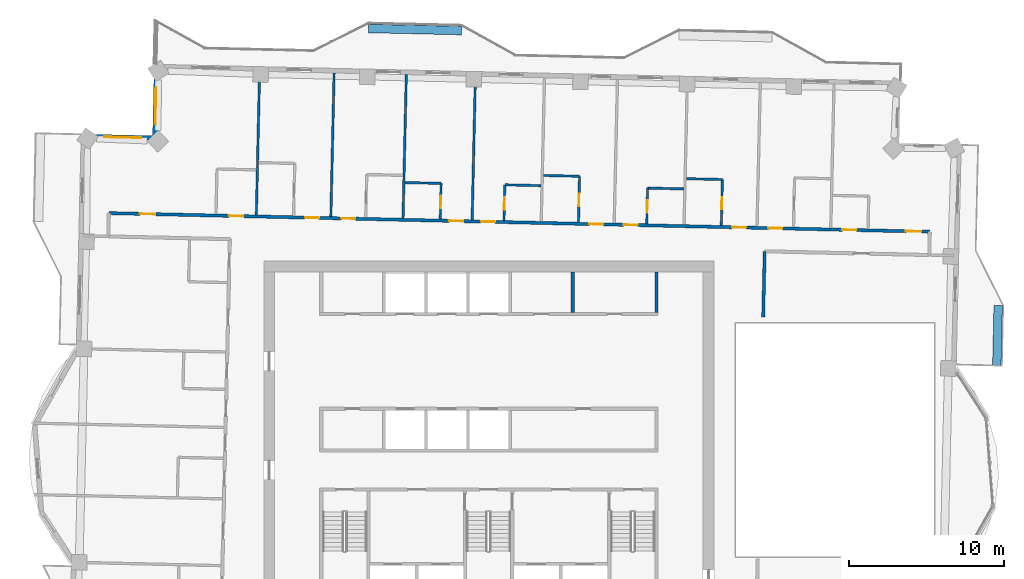
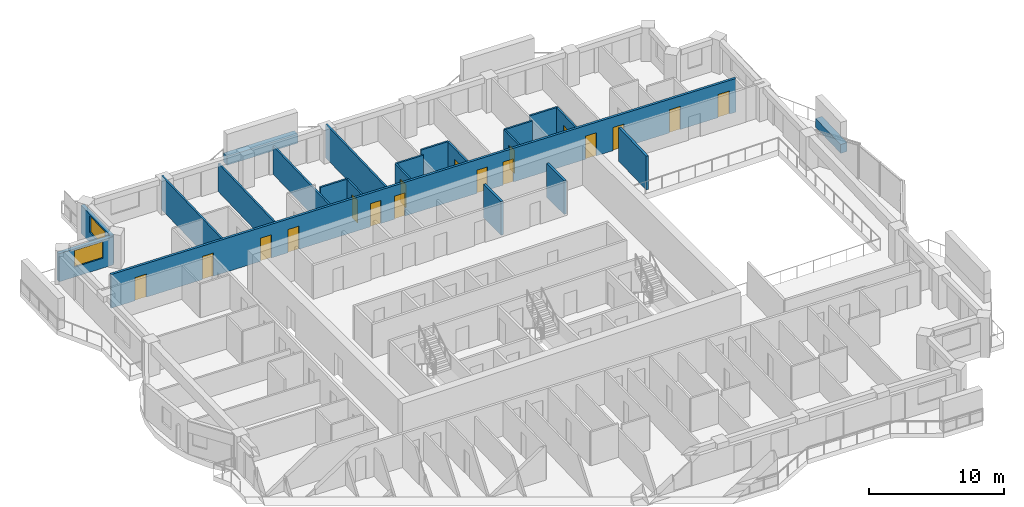
# One storey, part 11 of 17: 22 walls, 17 doors, 2 windows, 19 openings.
"""IFC4 building model written with IfcOpenShell, lengths in metres."""

import ifcopenshell
import ifcopenshell.guid

model = None  # the IFC model being written
_history = None  # IfcOwnerHistory: only IFC2X3 demands one
_inside = {}  # id of a spatial element -> (the spatial element, [elements in it])
_under = {}  # id of a project, library or spatial element -> (it, [spatial elements below it])
_declared = {}  # id of a project -> (the project, [libraries it declares])
_typed = {}  # id of a type object -> (the type object, [elements of that type])
_made_of = {}  # id of a material, layer set ... -> (it, [elements and type objects made of it])


def new_model(schema):
    """Start an empty IFC model of exactly this schema.

    Asked for "IFC4X3", IfcOpenShell would pick the latest addendum, in which some entities
    have other attributes; the version numbers below select the first issue.
    IFC2X3 requires an IfcOwnerHistory on every rooted entity: one is made here for all.
    """
    global model, _history
    if schema == "IFC4X3":
        model = ifcopenshell.file(schema_version=(4, 3, 0, 0))
    else:
        model = ifcopenshell.file(schema=schema)
    _inside.clear()
    _under.clear()
    _declared.clear()
    _typed.clear()
    _made_of.clear()
    _history = None
    if model.schema == "IFC2X3":
        org = make("IfcOrganization", Name="unknown")
        user = make(
            "IfcPersonAndOrganization",
            ThePerson=make("IfcPerson", FamilyName="unknown"),
            TheOrganization=org,
        )
        app = make(
            "IfcApplication",
            ApplicationDeveloper=org,
            Version="unknown",
            ApplicationFullName="unknown",
            ApplicationIdentifier="unknown",
        )
        _history = make(
            "IfcOwnerHistory",
            OwningUser=user,
            OwningApplication=app,
            ChangeAction="ADDED",
            CreationDate=0,
        )
    return model


def make(cls, **values):
    """One entity of the class cls with the attributes given. An attribute that is None is left unset."""
    return model.create_entity(
        cls, **{name: value for name, value in values.items() if value is not None}
    )


def rooted(cls, **values):
    """An entity with a GlobalId (a new one), such as an element, a storey or a relation."""
    return make(cls, GlobalId=ifcopenshell.guid.new(), OwnerHistory=_history, **values)


def si_unit(unit_type, name, prefix=None):
    """IfcSIUnit, for example si_unit("LENGTHUNIT", "METRE", prefix="MILLI")."""
    return make("IfcSIUnit", UnitType=unit_type, Prefix=prefix, Name=name)


def assignment(units):
    """IfcUnitAssignment: the units of a project."""
    return None if units is None else make("IfcUnitAssignment", Units=units)


def point(xyz):
    """IfcCartesianPoint."""
    return None if xyz is None else make("IfcCartesianPoint", Coordinates=xyz)


def direction(xyz):
    """IfcDirection."""
    return None if xyz is None else make("IfcDirection", DirectionRatios=xyz)


def frame(location, z_axis=None, x_axis=None):
    """IfcAxis2Placement3D, a coordinate frame: its origin and axes. An axis left out is left unset."""
    return make(
        "IfcAxis2Placement3D",
        Location=point(location),
        Axis=direction(z_axis),
        RefDirection=direction(x_axis),
    )


def frame_2d(location, x_axis=None):
    """IfcAxis2Placement2D, a coordinate frame in the plane: its origin and x axis."""
    return make(
        "IfcAxis2Placement2D", Location=point(location), RefDirection=direction(x_axis)
    )


def origin():
    """The frame at (0, 0, 0) with its axes left unset."""
    return frame((0.0, 0.0, 0.0))


def place(relative_to, where):
    """IfcLocalPlacement: puts the frame where relative to a parent placement (None: the world)."""
    return make(
        "IfcLocalPlacement", PlacementRelTo=relative_to, RelativePlacement=where
    )


def context(
    kind, dimensions, precision=None, world=None, true_north=None, identifier=None
):
    """IfcGeometricRepresentationContext, for example the 3D "Model" context."""
    return make(
        "IfcGeometricRepresentationContext",
        ContextIdentifier=identifier,
        ContextType=kind,
        CoordinateSpaceDimension=dimensions,
        Precision=precision,
        WorldCoordinateSystem=world,
        TrueNorth=true_north,
    )


def subcontext(parent, identifier, kind, view, scale=None):
    """IfcGeometricRepresentationSubContext, for example "Body" below "Model"."""
    return make(
        "IfcGeometricRepresentationSubContext",
        ContextIdentifier=identifier,
        ContextType=kind,
        ParentContext=parent,
        TargetScale=scale,
        TargetView=view,
    )


def project(units=None, contexts=None):
    """IfcProject with its units and contexts."""
    return rooted(
        "IfcProject",
        Name="project",
        RepresentationContexts=contexts,
        UnitsInContext=assignment(units),
    )


def spatial(cls, under=None, at=None, **own):
    """A site, building, storey or space (cls), placed at a placement, below another one or the project."""
    s = rooted(cls, ObjectPlacement=at, **own)
    if under is not None:
        _under.setdefault(under.id(), (under, []))[1].append(s)
    return s


def profile(cls, at=None, kind="AREA", **sizes):
    """A parametric profile (cls). Its sizes go by their IFC names, for example OverallWidth=200.0."""
    return make(cls, ProfileType=kind, Position=at, **sizes)


def rectangle(**sizes):
    """IfcRectangleProfileDef."""
    return profile("IfcRectangleProfileDef", **sizes)


def extrude(swept, where, along, depth):
    """IfcExtrudedAreaSolid: the profile swept, set in the frame where, extruded along a direction by depth."""
    return make(
        "IfcExtrudedAreaSolid",
        SweptArea=swept,
        Position=where,
        ExtrudedDirection=direction(along),
        Depth=depth,
    )


def shape(context_of_items, identifier, shape_type, items):
    """IfcShapeRepresentation: the items that make up one representation, for example the "Body"."""
    return make(
        "IfcShapeRepresentation",
        ContextOfItems=context_of_items,
        RepresentationIdentifier=identifier,
        RepresentationType=shape_type,
        Items=items,
    )


def material(Name=None, Category=None):
    """IfcMaterial."""
    return make("IfcMaterial", Name=Name, Category=Category)


def layer(
    of_material, thickness, ventilated=None, Name=None, Category=None, Priority=None
):
    """IfcMaterialLayer: one layer of a wall or slab, of a material (None: an air gap)."""
    return make(
        "IfcMaterialLayer",
        Material=of_material,
        LayerThickness=thickness,
        IsVentilated=ventilated,
        Name=Name,
        Category=Category,
        Priority=Priority,
    )


def layer_set(layers, Name=None):
    """IfcMaterialLayerSet."""
    return make("IfcMaterialLayerSet", MaterialLayers=layers, LayerSetName=Name)


def made_of(thing, what):
    """Note that an element or type object is made of a material, layer set ...; save() writes the relation."""
    if what is not None:
        _made_of.setdefault(what.id(), (what, []))[1].append(thing)
    return thing


def type_object(cls, material=None, **own):
    """A type object (cls), such as IfcWallType, which elements share."""
    return made_of(rooted(cls, **own), material)


def element(
    cls,
    number,
    at=None,
    inside=None,
    cuts=None,
    type_object=None,
    material=None,
    context=None,
    identifier="Body",
    shape_type=None,
    held_by="IfcProductDefinitionShape",
    body=None,
    shapes=None,
    **own,
):
    """One element of the class cls, such as IfcWall. Its Tag is "e" and its number.

    at: its placement. inside: the storey or other place that contains it. cuts: it is an
    opening in that element (IfcRelVoidsElement). A single representation is given by context,
    identifier, shape_type and body (its items); several are given by shapes. held_by: the class
    of the entity that holds the representations. save() writes the other relations.
    """
    e = rooted(cls, Tag="e%d" % number, ObjectPlacement=at, **own)
    if body is not None:
        shapes = [shape(context, identifier, shape_type, body)]
    if shapes is not None:
        e.Representation = make(held_by, Representations=shapes)
    if inside is not None:
        _inside.setdefault(inside.id(), (inside, []))[1].append(e)
    if cuts is not None:
        rooted(
            "IfcRelVoidsElement", RelatingBuildingElement=cuts, RelatedOpeningElement=e
        )
    if type_object is not None:
        _typed.setdefault(type_object.id(), (type_object, []))[1].append(e)
    return made_of(e, material)


def fill(opening, filler):
    """IfcRelFillsElement: the door or window that sits in an opening."""
    return rooted(
        "IfcRelFillsElement",
        RelatingOpeningElement=opening,
        RelatedBuildingElement=filler,
    )


def aggregate(whole, parts):
    """IfcRelAggregates: a whole, such as a stair, and the parts it consists of."""
    return rooted("IfcRelAggregates", RelatingObject=whole, RelatedObjects=parts)


def save(model, path):
    """Write the relations noted so far, then the file.

    IfcRelAggregates (storeys below a building ...), IfcRelContainedInSpatialStructure (elements
    in a storey), IfcRelDefinesByType, IfcRelAssociatesMaterial and IfcRelDeclares: one each for
    every whole, place, type object, material and project.
    """
    for whole, parts in _under.values():
        aggregate(whole, parts)
    for where, things in _inside.values():
        rooted(
            "IfcRelContainedInSpatialStructure",
            RelatedElements=things,
            RelatingStructure=where,
        )
    for kind, things in _typed.values():
        rooted("IfcRelDefinesByType", RelatedObjects=things, RelatingType=kind)
    for what, things in _made_of.values():
        rooted("IfcRelAssociatesMaterial", RelatedObjects=things, RelatingMaterial=what)
    for by, libraries in _declared.values():
        rooted("IfcRelDeclares", RelatingContext=by, RelatedDefinitions=libraries)
    model.write(path)


model = new_model("IFC4")

# Units and contexts
model_context = context("Model", 3, precision=1e-05, world=origin(), true_north=direction((0.0, 1.0)))
body_context = subcontext(model_context, "Body", "Model", "MODEL_VIEW")
ifc_project = project(units=[si_unit("LENGTHUNIT", "METRE"), si_unit("AREAUNIT", "SQUARE_METRE"), si_unit("VOLUMEUNIT", "CUBIC_METRE"), si_unit("PLANEANGLEUNIT", "RADIAN"), si_unit("MASSUNIT", "GRAM", prefix="KILO")], contexts=[model_context])

# Site, building, storey
site_placement = place(None, origin())
site = spatial("IfcSite", under=ifc_project, at=site_placement, CompositionType="ELEMENT")
building_placement = place(site_placement, origin())
building = spatial("IfcBuilding", under=site, at=building_placement, Name="Mangrove Gate Tower", CompositionType="ELEMENT")
storey_placement = place(building_placement, frame((0.0, 0.0, 257.300048828125)))
storey = spatial("IfcBuildingStorey", under=building, at=storey_placement, Name="L65", CompositionType="ELEMENT", Elevation=257.300048828125)

# Walls
ifc_material_1 = material(Name="Concrete C32/40", Category="concrete")
ifc_layer_1 = layer(ifc_material_1, 0.199951171875)
ifc_layer_set_1 = layer_set([ifc_layer_1], Name="Core room wall 200 C32/40")
wall_type_1 = type_object("IfcWallType", Name="Core room wall 200 C32/40", PredefinedType="STANDARD", material=ifc_layer_set_1)
for number, where, z_axis, x_axis, name in (
    (1, (5.39990234375, 8.199951171875, 0.0), (0.0, 0.0, 1.0), (0.0, 1.0, 0.0), "WALL-L65-CORE-30"),
    (2, (10.800048828125, 8.199951171875, 0.0), (0.0, 0.0, 1.0), (0.0, 1.0, 0.0), "WALL-L65-CORE-31"),
):
    element("IfcWall", number, at=place(storey_placement, frame(where, z_axis=z_axis, x_axis=x_axis)), inside=storey, type_object=wall_type_1, Name=name, PredefinedType="STANDARD", context=body_context, shape_type="SweptSolid", body=[
        extrude(rectangle(XDim=2.60009765625, YDim=0.199951171875, at=frame_2d((1.300048828125, 0.0))), origin(), (0.0, 0.0, 1.0), 3.050048828125),
    ])
ifc_material_2 = material(Name="Gypsum board on steel stud, EI 60", Category="steel")
ifc_layer_2 = layer(ifc_material_2, 0.199951171875)
ifc_layer_set_2 = layer_set([ifc_layer_2], Name="Corridor wall EI 60")
wall_type_2 = type_object("IfcWallType", Name="Corridor wall EI 60", PredefinedType="PARTITIONING", material=ifc_layer_set_2)
wall_1_placement = place(storey_placement, frame((17.660888671875, 7.904052734375, 0.0), z_axis=(0.0, 0.0, 1.0), x_axis=(0.022718785711, 0.999741895079, 0.0)))
element("IfcWall", 3, at=wall_1_placement, inside=storey, type_object=wall_type_2, Name="WALL-L65-051", PredefinedType="PARTITIONING", context=body_context, shape_type="SweptSolid", body=[
    extrude(rectangle(XDim=4.23388671875, YDim=0.199951171875, at=frame_2d((2.116943359375, 0.0))), origin(), (0.0, 0.0, 1.0), 3.050048828125),
])

# Wall, openings, doors
wall_2_placement = place(storey_placement, frame((-24.47412109375, 14.595947265625, 0.0), z_axis=(0.0, 0.0, 1.0), x_axis=(0.999742424031, -0.022695497208, 0.0)))
wall_2 = element("IfcWall", 4, at=wall_2_placement, inside=storey, type_object=wall_type_2, Name="WALL-L65-060", PredefinedType="PARTITIONING", context=body_context, shape_type="SweptSolid", body=[
    extrude(rectangle(XDim=52.871826171875, YDim=0.199951171875, at=frame_2d((26.43603515625, 0.0))), origin(), (0.0, 0.0, 1.0), 3.050048828125),
])
opening_1_placement = place(wall_2_placement, frame((51.3359375, 0.0, 0.0)))
opening_1 = element("IfcOpeningElement", 5, at=opening_1_placement, cuts=wall_2, Name="Opening AD", PredefinedType="OPENING", context=body_context, shape_type="SweptSolid", body=[
    extrude(rectangle(XDim=1.0, YDim=2.10009765625, at=frame_2d((0.5, 1.050048828125))), frame((0.0, 0.10986328125, 0.0), z_axis=(0.0, -1.0, 0.0), x_axis=(1.0, 0.0, 0.0)), (0.0, 0.0, 1.0), 0.219970703125),
])
opening_2_placement = place(wall_2_placement, frame((47.25, 0.0, 0.0)))
opening_2 = element("IfcOpeningElement", 6, at=opening_2_placement, cuts=wall_2, Name="Opening SD", PredefinedType="OPENING", context=body_context, shape_type="SweptSolid", body=[
    extrude(rectangle(XDim=0.89990234375, YDim=2.10009765625, at=frame_2d((0.449951171875, 1.050048828125))), frame((0.0, 0.10986328125, 0.0), z_axis=(0.0, -1.0, 0.0), x_axis=(1.0, 0.0, 0.0)), (0.0, 0.0, 1.0), 0.219970703125),
])
opening_3_placement = place(wall_2_placement, frame((42.47509765625, 0.0, 0.0)))
opening_3 = element("IfcOpeningElement", 7, at=opening_3_placement, cuts=wall_2, Name="Opening BD", PredefinedType="OPENING", context=body_context, shape_type="SweptSolid", body=[
    extrude(rectangle(XDim=0.89990234375, YDim=2.10009765625, at=frame_2d((0.449951171875, 1.050048828125))), frame((0.0, 0.10986328125, 0.0), z_axis=(0.0, -1.0, 0.0), x_axis=(1.0, 0.0, 0.0)), (0.0, 0.0, 1.0), 0.219970703125),
])
opening_4_placement = place(wall_2_placement, frame((40.14990234375, 0.0, 0.0)))
opening_4 = element("IfcOpeningElement", 8, at=opening_4_placement, cuts=wall_2, Name="Opening BD", PredefinedType="OPENING", context=body_context, shape_type="SweptSolid", body=[
    extrude(rectangle(XDim=0.89990234375, YDim=2.10009765625, at=frame_2d((0.449951171875, 1.050048828125))), frame((0.0, 0.10986328125, 0.0), z_axis=(0.0, -1.0, 0.0), x_axis=(1.0, 0.0, 0.0)), (0.0, 0.0, 1.0), 0.219970703125),
])
opening_5_placement = place(wall_2_placement, frame((33.14990234375, 0.0, 0.0)))
opening_5 = element("IfcOpeningElement", 9, at=opening_5_placement, cuts=wall_2, Name="Opening BD", PredefinedType="OPENING", context=body_context, shape_type="SweptSolid", body=[
    extrude(rectangle(XDim=0.89990234375, YDim=2.10009765625, at=frame_2d((0.449951171875, 1.050048828125))), frame((0.0, 0.10986328125, 0.0), z_axis=(0.0, -1.0, 0.0), x_axis=(1.0, 0.0, 0.0)), (0.0, 0.0, 1.0), 0.219970703125),
])
opening_6_placement = place(wall_2_placement, frame((30.949951171875, 0.0, 0.0)))
opening_6 = element("IfcOpeningElement", 10, at=opening_6_placement, cuts=wall_2, Name="Opening BD", PredefinedType="OPENING", context=body_context, shape_type="SweptSolid", body=[
    extrude(rectangle(XDim=0.89990234375, YDim=2.10009765625, at=frame_2d((0.449951171875, 1.050048828125))), frame((0.0, 0.10986328125, 0.0), z_axis=(0.0, -1.0, 0.0), x_axis=(1.0, 0.0, 0.0)), (0.0, 0.0, 1.0), 0.219970703125),
])
opening_7_placement = place(wall_2_placement, frame((23.97509765625, 0.0, 0.0)))
opening_7 = element("IfcOpeningElement", 11, at=opening_7_placement, cuts=wall_2, Name="Opening BD", PredefinedType="OPENING", context=body_context, shape_type="SweptSolid", body=[
    extrude(rectangle(XDim=0.89990234375, YDim=2.10009765625, at=frame_2d((0.449951171875, 1.050048828125))), frame((0.0, 0.10986328125, 0.0), z_axis=(0.0, -1.0, 0.0), x_axis=(1.0, 0.0, 0.0)), (0.0, 0.0, 1.0), 0.219970703125),
])
opening_8_placement = place(wall_2_placement, frame((21.925048828125, 0.0, 0.0)))
opening_8 = element("IfcOpeningElement", 12, at=opening_8_placement, cuts=wall_2, Name="Opening BD", PredefinedType="OPENING", context=body_context, shape_type="SweptSolid", body=[
    extrude(rectangle(XDim=0.89990234375, YDim=2.10009765625, at=frame_2d((0.449951171875, 1.050048828125))), frame((0.0, 0.10986328125, 0.0), z_axis=(0.0, -1.0, 0.0), x_axis=(1.0, 0.0, 0.0)), (0.0, 0.0, 1.0), 0.219970703125),
])
opening_9_placement = place(wall_2_placement, frame((14.97509765625, 0.0, 0.0)))
opening_9 = element("IfcOpeningElement", 13, at=opening_9_placement, cuts=wall_2, Name="Opening BD", PredefinedType="OPENING", context=body_context, shape_type="SweptSolid", body=[
    extrude(rectangle(XDim=0.89990234375, YDim=2.10009765625, at=frame_2d((0.449951171875, 1.050048828125))), frame((0.0, 0.10986328125, 0.0), z_axis=(0.0, -1.0, 0.0), x_axis=(1.0, 0.0, 0.0)), (0.0, 0.0, 1.0), 0.219970703125),
])
opening_10_placement = place(wall_2_placement, frame((12.64990234375, 0.0, 0.0)))
opening_10 = element("IfcOpeningElement", 14, at=opening_10_placement, cuts=wall_2, Name="Opening BD", PredefinedType="OPENING", context=body_context, shape_type="SweptSolid", body=[
    extrude(rectangle(XDim=0.89990234375, YDim=2.10009765625, at=frame_2d((0.449951171875, 1.050048828125))), frame((0.0, 0.10986328125, 0.0), z_axis=(0.0, -1.0, 0.0), x_axis=(1.0, 0.0, 0.0)), (0.0, 0.0, 1.0), 0.219970703125),
])
opening_11_placement = place(wall_2_placement, frame((2.0, 0.0, 0.0)))
opening_11 = element("IfcOpeningElement", 15, at=opening_11_placement, cuts=wall_2, Name="Opening AD", PredefinedType="OPENING", context=body_context, shape_type="SweptSolid", body=[
    extrude(rectangle(XDim=1.0, YDim=2.10009765625, at=frame_2d((0.5, 1.050048828125))), frame((0.0, 0.10986328125, 0.0), z_axis=(0.0, -1.0, 0.0), x_axis=(1.0, 0.0, 0.0)), (0.0, 0.0, 1.0), 0.219970703125),
])
opening_12_placement = place(wall_2_placement, frame((7.75, 0.0, 0.0)))
opening_12 = element("IfcOpeningElement", 16, at=opening_12_placement, cuts=wall_2, Name="Opening SD", PredefinedType="OPENING", context=body_context, shape_type="SweptSolid", body=[
    extrude(rectangle(XDim=0.89990234375, YDim=2.10009765625, at=frame_2d((0.449951171875, 1.050048828125))), frame((0.0, 0.10986328125, 0.0), z_axis=(0.0, -1.0, 0.0), x_axis=(1.0, 0.0, 0.0)), (0.0, 0.0, 1.0), 0.219970703125),
])
ifc_material_3 = material(Name="Timber door leaf", Category="wood")
door_type_1 = type_object("IfcDoorType", Name="Amenity door 1000", OperationType="SINGLE_SWING_LEFT", PredefinedType="DOOR", material=ifc_material_3)
door_1_placement = place(opening_1_placement, origin())
door_1 = element("IfcDoor", 17, at=door_1_placement, inside=storey, type_object=door_type_1, Name="DOOR-L65-STU-c3a", OperationType="SINGLE_SWING_LEFT", OverallHeight=2.10009765625, OverallWidth=1.0, PredefinedType="DOOR", context=body_context, shape_type="SweptSolid", body=[
    extrude(rectangle(XDim=1.0, YDim=2.10009765625, at=frame_2d((0.5, 1.050048828125))), frame((0.0, 0.02490234375, 0.0), z_axis=(0.0, -1.0, 0.0), x_axis=(1.0, 0.0, 0.0)), (0.0, 0.0, 1.0), 0.050048828125),
])
fill(opening_1, door_1)
door_2_placement = place(opening_11_placement, origin())
door_2 = element("IfcDoor", 18, at=door_2_placement, inside=storey, type_object=door_type_1, Name="DOOR-L65-GAM-c5a", OperationType="SINGLE_SWING_RIGHT", OverallHeight=2.10009765625, OverallWidth=1.0, PredefinedType="DOOR", context=body_context, shape_type="SweptSolid", body=[
    extrude(rectangle(XDim=1.0, YDim=2.10009765625, at=frame_2d((0.5, 1.050048828125))), frame((0.0, 0.02490234375, 0.0), z_axis=(0.0, -1.0, 0.0), x_axis=(1.0, 0.0, 0.0)), (0.0, 0.0, 1.0), 0.050048828125),
])
fill(opening_11, door_2)
ifc_material_4 = material(Name="Timber door leaf", Category="wood")
door_type_2 = type_object("IfcDoorType", Name="Bedroom door 900", OperationType="SINGLE_SWING_LEFT", PredefinedType="DOOR", material=ifc_material_4)
door_3_placement = place(opening_3_placement, origin())
door_3 = element("IfcDoor", 19, at=door_3_placement, inside=storey, type_object=door_type_2, Name="DOOR-L65-BED-c310", OperationType="SINGLE_SWING_RIGHT", OverallHeight=2.10009765625, OverallWidth=0.89990234375, PredefinedType="DOOR", context=body_context, shape_type="SweptSolid", body=[
    extrude(rectangle(XDim=0.89990234375, YDim=2.10009765625, at=frame_2d((0.449951171875, 1.050048828125))), frame((0.0, 0.02490234375, 0.0), z_axis=(0.0, -1.0, 0.0), x_axis=(1.0, 0.0, 0.0)), (0.0, 0.0, 1.0), 0.050048828125),
])
fill(opening_3, door_3)
door_4_placement = place(opening_4_placement, origin())
door_4 = element("IfcDoor", 20, at=door_4_placement, inside=storey, type_object=door_type_2, Name="DOOR-L65-BED-c311", OperationType="SINGLE_SWING_LEFT", OverallHeight=2.10009765625, OverallWidth=0.89990234375, PredefinedType="DOOR", context=body_context, shape_type="SweptSolid", body=[
    extrude(rectangle(XDim=0.89990234375, YDim=2.10009765625, at=frame_2d((0.449951171875, 1.050048828125))), frame((0.0, 0.02490234375, 0.0), z_axis=(0.0, -1.0, 0.0), x_axis=(1.0, 0.0, 0.0)), (0.0, 0.0, 1.0), 0.050048828125),
])
fill(opening_4, door_4)
door_5_placement = place(opening_5_placement, origin())
door_5 = element("IfcDoor", 21, at=door_5_placement, inside=storey, type_object=door_type_2, Name="DOOR-L65-BED-c412", OperationType="SINGLE_SWING_RIGHT", OverallHeight=2.10009765625, OverallWidth=0.89990234375, PredefinedType="DOOR", context=body_context, shape_type="SweptSolid", body=[
    extrude(rectangle(XDim=0.89990234375, YDim=2.10009765625, at=frame_2d((0.449951171875, 1.050048828125))), frame((0.0, 0.02490234375, 0.0), z_axis=(0.0, -1.0, 0.0), x_axis=(1.0, 0.0, 0.0)), (0.0, 0.0, 1.0), 0.050048828125),
])
fill(opening_5, door_5)
door_6_placement = place(opening_6_placement, origin())
door_6 = element("IfcDoor", 22, at=door_6_placement, inside=storey, type_object=door_type_2, Name="DOOR-L65-BED-c413", OperationType="SINGLE_SWING_LEFT", OverallHeight=2.10009765625, OverallWidth=0.89990234375, PredefinedType="DOOR", context=body_context, shape_type="SweptSolid", body=[
    extrude(rectangle(XDim=0.89990234375, YDim=2.10009765625, at=frame_2d((0.449951171875, 1.050048828125))), frame((0.0, 0.02490234375, 0.0), z_axis=(0.0, -1.0, 0.0), x_axis=(1.0, 0.0, 0.0)), (0.0, 0.0, 1.0), 0.050048828125),
])
fill(opening_6, door_6)
door_7_placement = place(opening_7_placement, origin())
door_7 = element("IfcDoor", 23, at=door_7_placement, inside=storey, type_object=door_type_2, Name="DOOR-L65-BED-c414", OperationType="SINGLE_SWING_RIGHT", OverallHeight=2.10009765625, OverallWidth=0.89990234375, PredefinedType="DOOR", context=body_context, shape_type="SweptSolid", body=[
    extrude(rectangle(XDim=0.89990234375, YDim=2.10009765625, at=frame_2d((0.449951171875, 1.050048828125))), frame((0.0, 0.02490234375, 0.0), z_axis=(0.0, -1.0, 0.0), x_axis=(1.0, 0.0, 0.0)), (0.0, 0.0, 1.0), 0.050048828125),
])
fill(opening_7, door_7)
door_8_placement = place(opening_8_placement, origin())
door_8 = element("IfcDoor", 24, at=door_8_placement, inside=storey, type_object=door_type_2, Name="DOOR-L65-BED-c515", OperationType="SINGLE_SWING_LEFT", OverallHeight=2.10009765625, OverallWidth=0.89990234375, PredefinedType="DOOR", context=body_context, shape_type="SweptSolid", body=[
    extrude(rectangle(XDim=0.89990234375, YDim=2.10009765625, at=frame_2d((0.449951171875, 1.050048828125))), frame((0.0, 0.02490234375, 0.0), z_axis=(0.0, -1.0, 0.0), x_axis=(1.0, 0.0, 0.0)), (0.0, 0.0, 1.0), 0.050048828125),
])
fill(opening_8, door_8)
door_9_placement = place(opening_9_placement, origin())
door_9 = element("IfcDoor", 25, at=door_9_placement, inside=storey, type_object=door_type_2, Name="DOOR-L65-BED-c516", OperationType="SINGLE_SWING_RIGHT", OverallHeight=2.10009765625, OverallWidth=0.89990234375, PredefinedType="DOOR", context=body_context, shape_type="SweptSolid", body=[
    extrude(rectangle(XDim=0.89990234375, YDim=2.10009765625, at=frame_2d((0.449951171875, 1.050048828125))), frame((0.0, 0.02490234375, 0.0), z_axis=(0.0, -1.0, 0.0), x_axis=(1.0, 0.0, 0.0)), (0.0, 0.0, 1.0), 0.050048828125),
])
fill(opening_9, door_9)
door_10_placement = place(opening_10_placement, origin())
door_10 = element("IfcDoor", 26, at=door_10_placement, inside=storey, type_object=door_type_2, Name="DOOR-L65-BED-c517", OperationType="SINGLE_SWING_LEFT", OverallHeight=2.10009765625, OverallWidth=0.89990234375, PredefinedType="DOOR", context=body_context, shape_type="SweptSolid", body=[
    extrude(rectangle(XDim=0.89990234375, YDim=2.10009765625, at=frame_2d((0.449951171875, 1.050048828125))), frame((0.0, 0.02490234375, 0.0), z_axis=(0.0, -1.0, 0.0), x_axis=(1.0, 0.0, 0.0)), (0.0, 0.0, 1.0), 0.050048828125),
])
fill(opening_10, door_10)
ifc_material_5 = material(Name="Timber door leaf", Category="wood")
door_type_3 = type_object("IfcDoorType", Name="Service room door 900", OperationType="SINGLE_SWING_LEFT", PredefinedType="DOOR", material=ifc_material_5)
door_11_placement = place(opening_2_placement, origin())
door_11 = element("IfcDoor", 27, at=door_11_placement, inside=storey, type_object=door_type_3, Name="DOOR-L65-LIN-c3a", OperationType="SINGLE_SWING_LEFT", OverallHeight=2.10009765625, OverallWidth=0.89990234375, PredefinedType="DOOR", context=body_context, shape_type="SweptSolid", body=[
    extrude(rectangle(XDim=0.89990234375, YDim=2.10009765625, at=frame_2d((0.449951171875, 1.050048828125))), frame((0.0, 0.02490234375, 0.0), z_axis=(0.0, -1.0, 0.0), x_axis=(1.0, 0.0, 0.0)), (0.0, 0.0, 1.0), 0.050048828125),
])
fill(opening_2, door_11)
door_12_placement = place(opening_12_placement, origin())
door_12 = element("IfcDoor", 28, at=door_12_placement, inside=storey, type_object=door_type_3, Name="DOOR-L65-AWC-c5a", OperationType="SINGLE_SWING_RIGHT", OverallHeight=2.10009765625, OverallWidth=0.89990234375, PredefinedType="DOOR", context=body_context, shape_type="SweptSolid", body=[
    extrude(rectangle(XDim=0.89990234375, YDim=2.10009765625, at=frame_2d((0.449951171875, 1.050048828125))), frame((0.0, 0.02490234375, 0.0), z_axis=(0.0, -1.0, 0.0), x_axis=(1.0, 0.0, 0.0)), (0.0, 0.0, 1.0), 0.050048828125),
])
fill(opening_12, door_12)

# Wall, opening, window
ifc_material_6 = material(Name="Limestone", Category="masonry")
ifc_layer_3 = layer(ifc_material_6, 0.0400390625, Name="Limestone cladding")
ifc_material_7 = material(Name="Ventilated air gap")
ifc_layer_4 = layer(ifc_material_7, 0.0400390625, Name="Ventilated cavity")
ifc_material_8 = material(Name="Mineral wool insulation")
ifc_layer_5 = layer(ifc_material_8, 0.06005859375, Name="Insulation")
ifc_material_9 = material(Name="Breather membrane")
ifc_layer_6 = layer(ifc_material_9, 0.001953125, Name="Breather membrane")
ifc_material_10 = material(Name="Concrete C20/25 blockwork", Category="masonry")
ifc_layer_7 = layer(ifc_material_10, 0.14990234375, Name="Blockwork backing wall")
ifc_material_11 = material(Name="Gypsum plaster")
ifc_layer_8 = layer(ifc_material_11, 0.008056640625, Name="Internal plaster")
ifc_layer_set_3 = layer_set([ifc_layer_3, ifc_layer_4, ifc_layer_5, ifc_layer_6, ifc_layer_7, ifc_layer_8], Name="External wall 300 limestone cladding")
wall_type_3 = type_object("IfcWallType", Name="External wall 300 limestone cladding", PredefinedType="SOLIDWALL", material=ifc_layer_set_3)
wall_3_placement = place(storey_placement, frame((-21.408935546875, 24.029052734375, 0.0), z_axis=(0.0, 0.0, 1.0), x_axis=(-0.022820258049, -0.999739584003, 0.0)))
wall_3 = element("IfcWall", 29, at=wall_3_placement, inside=storey, type_object=wall_type_3, Name="WALL-L65-W6", PredefinedType="SOLIDWALL", context=body_context, shape_type="SweptSolid", body=[
    extrude(rectangle(XDim=4.600341796875, YDim=0.300048828125, at=frame_2d((2.30029296875, 0.0))), origin(), (0.0, 0.0, 1.0), 2.550048828125),
])
opening_13_placement = place(wall_3_placement, frame((1.327880859375, 0.0, 0.89990234375)))
opening_13 = element("IfcOpeningElement", 30, at=opening_13_placement, cuts=wall_3, Name="Opening W2", PredefinedType="OPENING", context=body_context, shape_type="SweptSolid", body=[
    extrude(rectangle(XDim=2.39990234375, YDim=1.5, at=frame_2d((1.199951171875, 0.75))), frame((0.0, 0.159912109375, 0.0), z_axis=(0.0, -1.0, 0.0), x_axis=(1.0, 0.0, 0.0)), (0.0, 0.0, 1.0), 0.320068359375),
])
ifc_material_12 = material(Name="Aluminium frame with double-glazed low-e glass", Category="aluminium")
window_type = type_object("IfcWindowType", Name="Corner room window 2400x1500", PartitioningType="DOUBLE_PANEL_VERTICAL", PredefinedType="WINDOW", material=ifc_material_12)
window_1_placement = place(opening_13_placement, origin())
window_1 = element("IfcWindow", 31, at=window_1_placement, inside=storey, type_object=window_type, Name="WIN-L65-W6-1", OverallHeight=1.5, OverallWidth=2.39990234375, PartitioningType="DOUBLE_PANEL_VERTICAL", PredefinedType="WINDOW", context=body_context, shape_type="SweptSolid", body=[
    extrude(rectangle(XDim=2.39990234375, YDim=1.5, at=frame_2d((1.199951171875, 0.75))), frame((0.0, 0.030029296875, 0.0), z_axis=(0.0, -1.0, 0.0), x_axis=(1.0, 0.0, 0.0)), (0.0, 0.0, 1.0), 0.06005859375),
])
fill(opening_13, window_1)

wall_4_placement = place(storey_placement, frame((-21.513916015625, 19.429931640625, 0.0), z_axis=(0.0, 0.0, 1.0), x_axis=(-0.999744404568, 0.02260808559, 0.0)))
wall_4 = element("IfcWall", 32, at=wall_4_placement, inside=storey, type_object=wall_type_3, Name="WALL-L65-N7", PredefinedType="SOLIDWALL", context=body_context, shape_type="SweptSolid", body=[
    extrude(rectangle(XDim=4.600341796875, YDim=0.300048828125, at=frame_2d((2.30029296875, 0.0))), origin(), (0.0, 0.0, 1.0), 2.550048828125),
])
opening_14_placement = place(wall_4_placement, frame((0.8720703125, 0.0, 0.89990234375)))
opening_14 = element("IfcOpeningElement", 33, at=opening_14_placement, cuts=wall_4, Name="Opening W2", PredefinedType="OPENING", context=body_context, shape_type="SweptSolid", body=[
    extrude(rectangle(XDim=2.39990234375, YDim=1.5, at=frame_2d((1.199951171875, 0.75))), frame((0.0, 0.159912109375, 0.0), z_axis=(0.0, -1.0, 0.0), x_axis=(1.0, 0.0, 0.0)), (0.0, 0.0, 1.0), 0.320068359375),
])
window_2_placement = place(opening_14_placement, origin())
window_2 = element("IfcWindow", 34, at=window_2_placement, inside=storey, type_object=window_type, Name="WIN-L65-N7-1", OverallHeight=1.5, OverallWidth=2.39990234375, PartitioningType="DOUBLE_PANEL_VERTICAL", PredefinedType="WINDOW", context=body_context, shape_type="SweptSolid", body=[
    extrude(rectangle(XDim=2.39990234375, YDim=1.5, at=frame_2d((1.199951171875, 0.75))), frame((0.0, 0.030029296875, 0.0), z_axis=(0.0, -1.0, 0.0), x_axis=(1.0, 0.0, 0.0)), (0.0, 0.0, 1.0), 0.06005859375),
])
fill(opening_14, window_2)

# Walls
ifc_material_13 = material(Name="Gypsum board on steel stud, EI 60", Category="steel")
ifc_layer_9 = layer(ifc_material_13, 0.14990234375)
ifc_layer_set_4 = layer_set([ifc_layer_9], Name="Party wall 150 EI 60")
wall_type_4 = type_object("IfcWallType", Name="Party wall 150 EI 60", PredefinedType="PARTITIONING", material=ifc_layer_set_4)
wall_5_placement = place(storey_placement, frame((-14.97802734375, 14.47998046875, 0.0), z_axis=(0.0, 0.0, 1.0), x_axis=(0.022697424684, 0.999742380272, 0.0)))
element("IfcWall", 35, at=wall_5_placement, inside=storey, type_object=wall_type_4, Name="WALL-L65-062", PredefinedType="PARTITIONING", context=body_context, shape_type="SweptSolid", body=[
    extrude(rectangle(XDim=9.25048828125, YDim=0.14990234375, at=frame_2d((4.625244140625, 0.0))), origin(), (0.0, 0.0, 1.0), 3.050048828125),
])
for number, where, z_axis, x_axis, name in (
    (36, (-10.179931640625, 14.37109375, 0.0), (0.0, 0.0, 1.0), (0.022698023584, 0.999742366675, 0.0), "WALL-L65-064"),
    (37, (-5.531005859375, 14.26611328125, 0.0), (0.0, 0.0, 1.0), (0.022698023584, 0.999742366675, 0.0), "WALL-L65-066"),
):
    element("IfcWall", number, at=place(storey_placement, frame(where, z_axis=z_axis, x_axis=x_axis)), inside=storey, type_object=wall_type_4, Name=name, PredefinedType="PARTITIONING", context=body_context, shape_type="SweptSolid", body=[
        extrude(rectangle(XDim=9.250244140625, YDim=0.14990234375, at=frame_2d((4.625, 0.0))), origin(), (0.0, 0.0, 1.0), 2.550048828125),
    ])

# Wall, opening, door
wall_6_placement = place(storey_placement, frame((-3.131103515625, 14.2109375, 0.0), z_axis=(0.0, 0.0, 1.0), x_axis=(0.022603288534, 0.999744513037, 0.0)))
wall_6 = element("IfcWall", 38, at=wall_6_placement, inside=storey, type_object=wall_type_4, Name="WALL-L65-067", PredefinedType="PARTITIONING", context=body_context, shape_type="SweptSolid", body=[
    extrude(rectangle(XDim=2.300537109375, YDim=0.14990234375, at=frame_2d((1.150390625, 0.0))), origin(), (0.0, 0.0, 1.0), 3.050048828125),
])
opening_15_placement = place(wall_6_placement, frame((0.699951171875, 0.0, 0.0)))
opening_15 = element("IfcOpeningElement", 39, at=opening_15_placement, cuts=wall_6, Name="Opening ED", PredefinedType="OPENING", context=body_context, shape_type="SweptSolid", body=[
    extrude(rectangle(XDim=0.800048828125, YDim=2.10009765625, at=frame_2d((0.39990234375, 1.050048828125))), frame((0.0, 0.0849609375, 0.0), z_axis=(0.0, -1.0, 0.0), x_axis=(1.0, 0.0, 0.0)), (0.0, 0.0, 1.0), 0.169921875),
])
ifc_material_14 = material(Name="Timber door leaf", Category="wood")
door_type_4 = type_object("IfcDoorType", Name="En-suite door 800", OperationType="SINGLE_SWING_LEFT", PredefinedType="DOOR", material=ifc_material_14)
door_13_placement = place(opening_15_placement, origin())
door_13 = element("IfcDoor", 40, at=door_13_placement, inside=storey, type_object=door_type_4, Name="DOOR-L65-ENS-c515", OperationType="SINGLE_SWING_LEFT", OverallHeight=2.10009765625, OverallWidth=0.800048828125, PredefinedType="DOOR", context=body_context, shape_type="SweptSolid", body=[
    extrude(rectangle(XDim=0.800048828125, YDim=2.10009765625, at=frame_2d((0.39990234375, 1.050048828125))), frame((0.0, 0.02490234375, 0.0), z_axis=(0.0, -1.0, 0.0), x_axis=(1.0, 0.0, 0.0)), (0.0, 0.0, 1.0), 0.050048828125),
])
fill(opening_15, door_13)

# Wall
wall_7_placement = place(storey_placement, frame((-1.08203125, 14.1650390625, 0.0), z_axis=(0.0, 0.0, 1.0), x_axis=(0.022697424684, 0.999742380272, 0.0)))
element("IfcWall", 41, at=wall_7_placement, inside=storey, type_object=wall_type_4, Name="WALL-L65-068", PredefinedType="PARTITIONING", context=body_context, shape_type="SweptSolid", body=[
    extrude(rectangle(XDim=9.25048828125, YDim=0.14990234375, at=frame_2d((4.625244140625, 0.0))), origin(), (0.0, 0.0, 1.0), 3.050048828125),
])

# Wall, opening, door
wall_8_placement = place(storey_placement, frame((0.968017578125, 14.117919921875, 0.0), z_axis=(0.0, 0.0, 1.0), x_axis=(0.022603288534, 0.999744513037, 0.0)))
wall_8 = element("IfcWall", 42, at=wall_8_placement, inside=storey, type_object=wall_type_4, Name="WALL-L65-069", PredefinedType="PARTITIONING", context=body_context, shape_type="SweptSolid", body=[
    extrude(rectangle(XDim=2.300537109375, YDim=0.14990234375, at=frame_2d((1.150390625, 0.0))), origin(), (0.0, 0.0, 1.0), 3.050048828125),
])
opening_16_placement = place(wall_8_placement, frame((0.699951171875, 0.0, 0.0)))
opening_16 = element("IfcOpeningElement", 43, at=opening_16_placement, cuts=wall_8, Name="Opening ED", PredefinedType="OPENING", context=body_context, shape_type="SweptSolid", body=[
    extrude(rectangle(XDim=0.800048828125, YDim=2.10009765625, at=frame_2d((0.39990234375, 1.050048828125))), frame((0.0, 0.0849609375, 0.0), z_axis=(0.0, -1.0, 0.0), x_axis=(1.0, 0.0, 0.0)), (0.0, 0.0, 1.0), 0.169921875),
])
door_14_placement = place(opening_16_placement, origin())
door_14 = element("IfcDoor", 44, at=door_14_placement, inside=storey, type_object=door_type_4, Name="DOOR-L65-ENS-c414", OperationType="SINGLE_SWING_RIGHT", OverallHeight=2.10009765625, OverallWidth=0.800048828125, PredefinedType="DOOR", context=body_context, shape_type="SweptSolid", body=[
    extrude(rectangle(XDim=0.800048828125, YDim=2.10009765625, at=frame_2d((0.39990234375, 1.050048828125))), frame((0.0, 0.02490234375, 0.0), z_axis=(0.0, -1.0, 0.0), x_axis=(1.0, 0.0, 0.0)), (0.0, 0.0, 1.0), 0.050048828125),
])
fill(opening_16, door_14)

wall_9_placement = place(storey_placement, frame((5.76611328125, 14.010009765625, 0.0), z_axis=(0.0, 0.0, 1.0), x_axis=(0.022601485787, 0.999744553794, 0.0)))
wall_9 = element("IfcWall", 45, at=wall_9_placement, inside=storey, type_object=wall_type_4, Name="WALL-L65-071", PredefinedType="PARTITIONING", context=body_context, shape_type="SweptSolid", body=[
    extrude(rectangle(XDim=2.959716796875, YDim=0.14990234375, at=frame_2d((1.47998046875, 0.0))), origin(), (0.0, 0.0, 1.0), 3.050048828125),
])
opening_17_placement = place(wall_9_placement, frame((1.030029296875, 0.0, 0.0)))
opening_17 = element("IfcOpeningElement", 46, at=opening_17_placement, cuts=wall_9, Name="Opening ED", PredefinedType="OPENING", context=body_context, shape_type="SweptSolid", body=[
    extrude(rectangle(XDim=0.800048828125, YDim=2.10009765625, at=frame_2d((0.39990234375, 1.050048828125))), frame((0.0, 0.0849609375, 0.0), z_axis=(0.0, -1.0, 0.0), x_axis=(1.0, 0.0, 0.0)), (0.0, 0.0, 1.0), 0.169921875),
])
door_15_placement = place(opening_17_placement, origin())
door_15 = element("IfcDoor", 47, at=door_15_placement, inside=storey, type_object=door_type_4, Name="DOOR-L65-ENS-c413", OperationType="SINGLE_SWING_LEFT", OverallHeight=2.10009765625, OverallWidth=0.800048828125, PredefinedType="DOOR", context=body_context, shape_type="SweptSolid", body=[
    extrude(rectangle(XDim=0.800048828125, YDim=2.10009765625, at=frame_2d((0.39990234375, 1.050048828125))), frame((0.0, 0.02490234375, 0.0), z_axis=(0.0, -1.0, 0.0), x_axis=(1.0, 0.0, 0.0)), (0.0, 0.0, 1.0), 0.050048828125),
])
fill(opening_17, door_15)

wall_10_placement = place(storey_placement, frame((10.1650390625, 13.909912109375, 0.0), z_axis=(0.0, 0.0, 1.0), x_axis=(0.022612884682, 0.999744296031, 0.0)))
wall_10 = element("IfcWall", 48, at=wall_10_placement, inside=storey, type_object=wall_type_4, Name="WALL-L65-073", PredefinedType="PARTITIONING", context=body_context, shape_type="SweptSolid", body=[
    extrude(rectangle(XDim=2.299560546875, YDim=0.14990234375, at=frame_2d((1.14990234375, 0.0))), origin(), (0.0, 0.0, 1.0), 3.050048828125),
])
opening_18_placement = place(wall_10_placement, frame((0.699951171875, 0.0, 0.0)))
opening_18 = element("IfcOpeningElement", 49, at=opening_18_placement, cuts=wall_10, Name="Opening ED", PredefinedType="OPENING", context=body_context, shape_type="SweptSolid", body=[
    extrude(rectangle(XDim=0.800048828125, YDim=2.10009765625, at=frame_2d((0.39990234375, 1.050048828125))), frame((0.0, 0.0849609375, 0.0), z_axis=(0.0, -1.0, 0.0), x_axis=(1.0, 0.0, 0.0)), (0.0, 0.0, 1.0), 0.169921875),
])
door_16_placement = place(opening_18_placement, origin())
door_16 = element("IfcDoor", 50, at=door_16_placement, inside=storey, type_object=door_type_4, Name="DOOR-L65-ENS-c412", OperationType="SINGLE_SWING_RIGHT", OverallHeight=2.10009765625, OverallWidth=0.800048828125, PredefinedType="DOOR", context=body_context, shape_type="SweptSolid", body=[
    extrude(rectangle(XDim=0.800048828125, YDim=2.10009765625, at=frame_2d((0.39990234375, 1.050048828125))), frame((0.0, 0.02490234375, 0.0), z_axis=(0.0, -1.0, 0.0), x_axis=(1.0, 0.0, 0.0)), (0.0, 0.0, 1.0), 0.050048828125),
])
fill(opening_18, door_16)

wall_11_placement = place(storey_placement, frame((14.964111328125, 13.801025390625, 0.0), z_axis=(0.0, 0.0, 1.0), x_axis=(0.022601485787, 0.999744553794, 0.0)))
wall_11 = element("IfcWall", 51, at=wall_11_placement, inside=storey, type_object=wall_type_4, Name="WALL-L65-075", PredefinedType="PARTITIONING", context=body_context, shape_type="SweptSolid", body=[
    extrude(rectangle(XDim=2.959716796875, YDim=0.14990234375, at=frame_2d((1.47998046875, 0.0))), origin(), (0.0, 0.0, 1.0), 3.050048828125),
])
opening_19_placement = place(wall_11_placement, frame((1.030029296875, 0.0, 0.0)))
opening_19 = element("IfcOpeningElement", 52, at=opening_19_placement, cuts=wall_11, Name="Opening ED", PredefinedType="OPENING", context=body_context, shape_type="SweptSolid", body=[
    extrude(rectangle(XDim=0.800048828125, YDim=2.10009765625, at=frame_2d((0.39990234375, 1.050048828125))), frame((0.0, 0.0849609375, 0.0), z_axis=(0.0, -1.0, 0.0), x_axis=(1.0, 0.0, 0.0)), (0.0, 0.0, 1.0), 0.169921875),
])
door_17_placement = place(opening_19_placement, origin())
door_17 = element("IfcDoor", 53, at=door_17_placement, inside=storey, type_object=door_type_4, Name="DOOR-L65-ENS-c311", OperationType="SINGLE_SWING_LEFT", OverallHeight=2.10009765625, OverallWidth=0.800048828125, PredefinedType="DOOR", context=body_context, shape_type="SweptSolid", body=[
    extrude(rectangle(XDim=0.800048828125, YDim=2.10009765625, at=frame_2d((0.39990234375, 1.050048828125))), frame((0.0, 0.02490234375, 0.0), z_axis=(0.0, -1.0, 0.0), x_axis=(1.0, 0.0, 0.0)), (0.0, 0.0, 1.0), 0.050048828125),
])
fill(opening_19, door_17)

# Walls
wall_12_placement = place(storey_placement, frame((-5.39990234375, 16.56298828125, 0.0), z_axis=(0.0, 0.0, 1.0), x_axis=(0.999749954681, -0.022361308448, 0.0)))
element("IfcWall", 54, at=wall_12_placement, inside=storey, type_object=wall_type_4, Name="WALL-L65-081", PredefinedType="PARTITIONING", context=body_context, shape_type="SweptSolid", body=[
    extrude(rectangle(XDim=2.325439453125, YDim=0.14990234375, at=frame_2d((1.16259765625, 0.0))), origin(), (0.0, 0.0, 1.0), 3.050048828125),
])
wall_13_placement = place(storey_placement, frame((1.02392578125, 16.41796875, 0.0), z_axis=(0.0, 0.0, 1.0), x_axis=(0.999740260747, -0.02279059109, 0.0)))
element("IfcWall", 55, at=wall_13_placement, inside=storey, type_object=wall_type_4, Name="WALL-L65-082", PredefinedType="PARTITIONING", context=body_context, shape_type="SweptSolid", body=[
    extrude(rectangle(XDim=2.324462890625, YDim=0.14990234375, at=frame_2d((1.162109375, 0.0))), origin(), (0.0, 0.0, 1.0), 3.050048828125),
])
wall_14_placement = place(storey_placement, frame((10.220947265625, 16.208984375, 0.0), z_axis=(0.0, 0.0, 1.0), x_axis=(0.999740478815, -0.022781023197, 0.0)))
element("IfcWall", 56, at=wall_14_placement, inside=storey, type_object=wall_type_4, Name="WALL-L65-083", PredefinedType="PARTITIONING", context=body_context, shape_type="SweptSolid", body=[
    extrude(rectangle(XDim=2.325439453125, YDim=0.14990234375, at=frame_2d((1.16259765625, 0.0))), origin(), (0.0, 0.0, 1.0), 3.050048828125),
])
for number, where, z_axis, x_axis, name in (
    (57, (3.512939453125, 17.02099609375, 0.0), (0.0, 0.0, 1.0), (0.999749744571, -0.022370700241, 0.0), "WALL-L65-086"),
    (58, (12.7109375, 16.81298828125, 0.0), (0.0, 0.0, 1.0), (0.999740260747, -0.02279059109, 0.0), "WALL-L65-087"),
):
    element("IfcWall", number, at=place(storey_placement, frame(where, z_axis=z_axis, x_axis=x_axis)), inside=storey, type_object=wall_type_4, Name=name, PredefinedType="PARTITIONING", context=body_context, shape_type="SweptSolid", body=[
        extrude(rectangle(XDim=2.324462890625, YDim=0.14990234375, at=frame_2d((1.162109375, 0.0))), origin(), (0.0, 0.0, 1.0), 3.050048828125),
    ])
ifc_material_15 = material(Name="Concrete C32/40", Category="concrete")
ifc_layer_10 = layer(ifc_material_15, 0.199951171875, Name="Planter trough wall")
ifc_material_16 = material(Name="Bituminous waterproofing membrane")
ifc_layer_11 = layer(ifc_material_16, 0.0048828125, Name="Waterproofing")
ifc_material_17 = material(Name="Drainage board and gravel")
ifc_layer_12 = layer(ifc_material_17, 0.044921875, Name="Drainage layer")
ifc_material_18 = material(Name="Planting soil")
ifc_layer_13 = layer(ifc_material_18, 0.300048828125, Name="Growing medium")
ifc_layer_set_5 = layer_set([ifc_layer_10, ifc_layer_11, ifc_layer_12, ifc_layer_13], Name="Planter wall 550 C32/40")
wall_type_5 = type_object("IfcWallType", Name="Planter wall 550 C32/40", PredefinedType="USERDEFINED", material=ifc_layer_set_5)
wall_15_placement = place(storey_placement, frame((32.705078125, 4.77099609375, 0.0), z_axis=(0.0, 0.0, 1.0), x_axis=(0.022681332769, 0.999742745482, 0.0)))
element("IfcWall", 59, at=wall_15_placement, inside=storey, type_object=wall_type_5, Name="PLANTER L65 E1.1", ObjectType="PLANTER", PredefinedType="USERDEFINED", context=body_context, shape_type="SweptSolid", body=[
    extrude(rectangle(XDim=3.875, YDim=0.550048828125, at=frame_2d((1.9375, 0.0))), origin(), (0.0, 0.0, 1.0), 0.800048828125),
])
wall_16_placement = place(storey_placement, frame((-7.763916015625, 26.485107421875, 0.0), z_axis=(0.0, 0.0, 1.0), x_axis=(0.999743178102, -0.022662255828, 0.0)))
element("IfcWall", 60, at=wall_16_placement, inside=storey, type_object=wall_type_5, Name="PLANTER L65 N1.1", ObjectType="PLANTER", PredefinedType="USERDEFINED", context=body_context, shape_type="SweptSolid", body=[
    extrude(rectangle(XDim=6.00048828125, YDim=0.550048828125, at=frame_2d((3.000244140625, 0.0))), origin(), (0.0, 0.0, 1.0), 0.800048828125),
])

save(model, "model.ifc")
